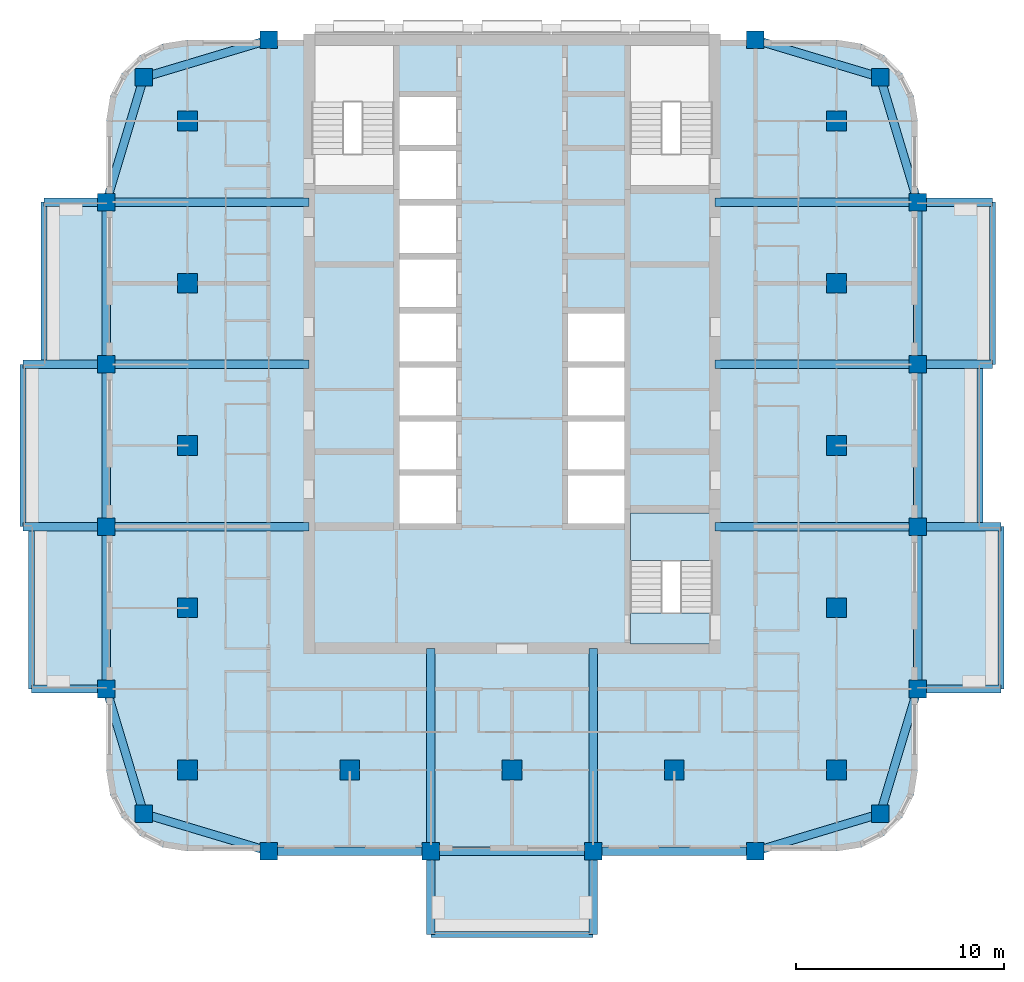
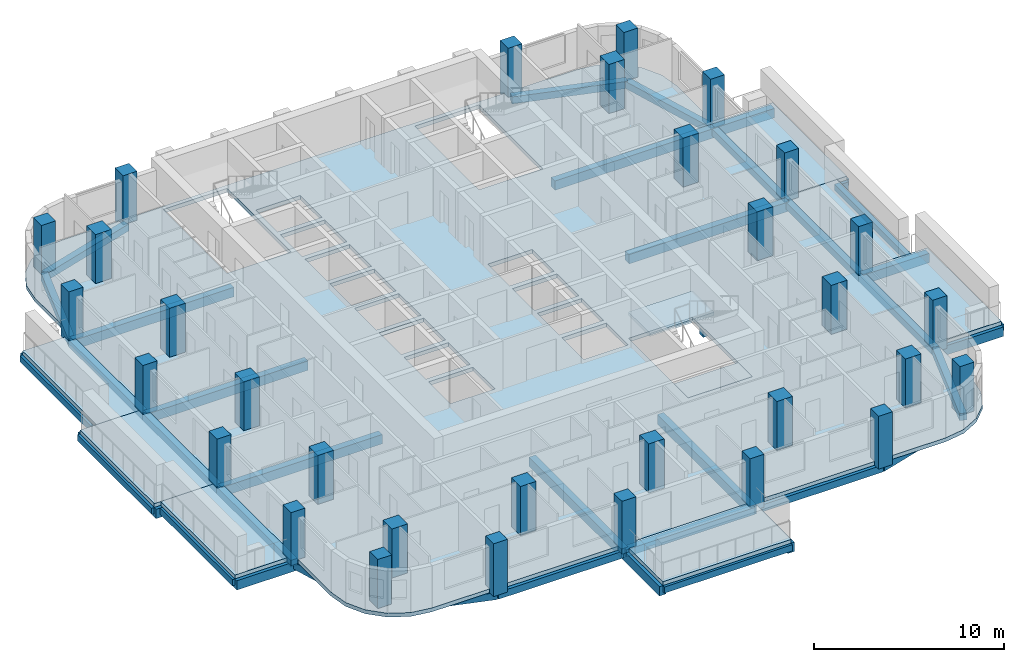
# One storey, part 1 of 14: 42 beams, 31 columns, 10 slabs, 1 element without a shape of its own.
"""IFC4 building model written with IfcOpenShell, lengths in metres."""

from ifc_helpers import new_model, si_unit, direction, frame, origin, origin_2d, place, context, subcontext, project, spatial, polyline, rectangle, outline, extrude, material, layer, layer_set, material_profile, profile_set, type_object, element, aggregate, save


model = new_model("IFC4")

# Units and contexts
model_context = context("Model", 3, precision=1e-05, world=origin(), true_north=direction((0.0, 1.0)))
body_context = subcontext(model_context, "Body", "Model", "MODEL_VIEW")
ifc_project = project(units=[si_unit("LENGTHUNIT", "METRE"), si_unit("AREAUNIT", "SQUARE_METRE"), si_unit("VOLUMEUNIT", "CUBIC_METRE"), si_unit("PLANEANGLEUNIT", "RADIAN"), si_unit("MASSUNIT", "GRAM", prefix="KILO")], contexts=[model_context])

# Site, building, storey
site_placement = place(None, origin())
site = spatial("IfcSite", under=ifc_project, at=site_placement, CompositionType="ELEMENT")
building_placement = place(site_placement, origin())
building = spatial("IfcBuilding", under=site, at=building_placement, Name="Ludao Terraces", CompositionType="ELEMENT")
storey_placement = place(building_placement, frame((0.0, 0.0, 110.10009765625)))
storey = spatial("IfcBuildingStorey", under=building, at=storey_placement, Name="L30", CompositionType="ELEMENT", Elevation=110.10009765625)

# Columns
ifc_material_1 = material(Name="Concrete C50", Category="concrete")
ifc_material_profile_1 = material_profile(ifc_material_1, rectangle(XDim=0.85009765625, YDim=0.85009765625, at=origin_2d()), Name="850 X 850")
ifc_profile_set_1 = profile_set([ifc_material_profile_1], Name="Concrete C50")
column_type_1 = type_object("IfcColumnType", Name="RC column 850x850 C50", PredefinedType="COLUMN", material=ifc_profile_set_1)
for number, where, z_axis, x_axis, name in (
    (1, (67.300048828125, 47.300048828125, -0.25), (0.0, 0.0, 1.0), (1.0, 0.0, 0.0), "Column L30 C0057x0057"),
    (2, (102.699951171875, 47.300048828125, -0.25), (0.0, 0.0, 1.0), (1.0, 0.0, 0.0), "Column L30 C0411x0057"),
    (3, (67.300048828125, 82.699951171875, -0.25), (0.0, 0.0, 1.0), (1.0, 0.0, 0.0), "Column L30 C0057x0411"),
    (4, (102.699951171875, 82.699951171875, -0.25), (0.0, 0.0, 1.0), (1.0, 0.0, 0.0), "Column L30 C0411x0411"),
    (5, (65.5, 53.300048828125, -0.25), (0.0, 0.0, 1.0), (1.0, 0.0, 0.0), "Column L30 W0039x0117"),
    (6, (104.5, 53.300048828125, -0.25), (0.0, 0.0, 1.0), (1.0, 0.0, 0.0), "Column L30 W0429x0117"),
    (7, (73.300048828125, 45.5, -0.25), (0.0, 0.0, 1.0), (1.0, 0.0, 0.0), "Column L30 W0117x0039"),
    (8, (73.300048828125, 84.5, -0.25), (0.0, 0.0, 1.0), (1.0, 0.0, 0.0), "Column L30 W0117x0429"),
    (9, (65.5, 61.10009765625, -0.25), (0.0, 0.0, 1.0), (1.0, 0.0, 0.0), "Column L30 W0039x0195"),
    (10, (104.5, 61.10009765625, -0.25), (0.0, 0.0, 1.0), (1.0, 0.0, 0.0), "Column L30 W0429x0195"),
    (11, (81.10009765625, 45.5, -0.25), (0.0, 0.0, 1.0), (1.0, 0.0, 0.0), "Column L30 W0195x0039"),
    (12, (65.5, 68.89990234375, -0.25), (0.0, 0.0, 1.0), (1.0, 0.0, 0.0), "Column L30 W0039x0273"),
    (13, (104.5, 68.89990234375, -0.25), (0.0, 0.0, 1.0), (1.0, 0.0, 0.0), "Column L30 W0429x0273"),
    (14, (88.89990234375, 45.5, -0.25), (0.0, 0.0, 1.0), (1.0, 0.0, 0.0), "Column L30 W0273x0039"),
    (15, (65.5, 76.699951171875, -0.25), (0.0, 0.0, 1.0), (1.0, 0.0, 0.0), "Column L30 W0039x0351"),
    (16, (104.5, 76.699951171875, -0.25), (0.0, 0.0, 1.0), (1.0, 0.0, 0.0), "Column L30 W0429x0351"),
    (17, (96.699951171875, 45.5, -0.25), (0.0, 0.0, 1.0), (1.0, 0.0, 0.0), "Column L30 W0351x0039"),
    (18, (96.699951171875, 84.5, -0.25), (0.0, 0.0, 1.0), (1.0, 0.0, 0.0), "Column L30 W0351x0429"),
):
    element("IfcColumn", number, at=place(storey_placement, frame(where, z_axis=z_axis, x_axis=x_axis)), inside=storey, type_object=column_type_1, Name=name, PredefinedType="COLUMN", context=body_context, shape_type="SweptSolid", body=[
        extrude(rectangle(XDim=0.85009765625, YDim=0.85009765625, at=origin_2d()), origin(), (0.0, 0.0, 1.0), 3.39990234375),
    ])
ifc_material_profile_2 = material_profile(ifc_material_1, rectangle(XDim=0.949951171875, YDim=0.949951171875, at=origin_2d()), Name="950 X 950")
ifc_profile_set_2 = profile_set([ifc_material_profile_2], Name="Concrete C50")
column_type_2 = type_object("IfcColumnType", Name="RC column 950x950 C50", PredefinedType="COLUMN", material=ifc_profile_set_2)
for number, where, z_axis, x_axis, name in (
    (19, (69.39990234375, 49.39990234375, -0.25), (0.0, 0.0, 1.0), (1.0, 0.0, 0.0), "Column L30 S0078x0078"),
    (20, (69.39990234375, 57.199951171875, -0.25), (0.0, 0.0, 1.0), (1.0, 0.0, 0.0), "Column L30 S0078x0156"),
    (21, (69.39990234375, 65.0, -0.25), (0.0, 0.0, 1.0), (1.0, 0.0, 0.0), "Column L30 S0078x0234"),
    (22, (69.39990234375, 72.800048828125, -0.25), (0.0, 0.0, 1.0), (1.0, 0.0, 0.0), "Column L30 S0078x0312"),
    (23, (69.39990234375, 80.60009765625, -0.25), (0.0, 0.0, 1.0), (1.0, 0.0, 0.0), "Column L30 S0078x0390"),
    (24, (77.199951171875, 49.39990234375, -0.25), (0.0, 0.0, 1.0), (1.0, 0.0, 0.0), "Column L30 S0156x0078"),
    (25, (85.0, 49.39990234375, -0.25), (0.0, 0.0, 1.0), (1.0, 0.0, 0.0), "Column L30 S0234x0078"),
    (26, (92.800048828125, 49.39990234375, -0.25), (0.0, 0.0, 1.0), (1.0, 0.0, 0.0), "Column L30 S0312x0078"),
    (27, (100.60009765625, 49.39990234375, -0.25), (0.0, 0.0, 1.0), (1.0, 0.0, 0.0), "Column L30 S0390x0078"),
    (28, (100.60009765625, 57.199951171875, -0.25), (0.0, 0.0, 1.0), (1.0, 0.0, 0.0), "Column L30 S0390x0156"),
    (29, (100.60009765625, 65.0, -0.25), (0.0, 0.0, 1.0), (1.0, 0.0, 0.0), "Column L30 S0390x0234"),
    (30, (100.60009765625, 72.800048828125, -0.25), (0.0, 0.0, 1.0), (1.0, 0.0, 0.0), "Column L30 S0390x0312"),
    (31, (100.60009765625, 80.60009765625, -0.25), (0.0, 0.0, 1.0), (1.0, 0.0, 0.0), "Column L30 S0390x0390"),
):
    element("IfcColumn", number, at=place(storey_placement, frame(where, z_axis=z_axis, x_axis=x_axis)), inside=storey, type_object=column_type_2, Name=name, PredefinedType="COLUMN", context=body_context, shape_type="SweptSolid", body=[
        extrude(rectangle(XDim=0.949951171875, YDim=0.949951171875, at=origin_2d()), origin(), (0.0, 0.0, 1.0), 3.39990234375),
    ])

# Beams
ifc_material_2 = material(Name="Concrete C40", Category="concrete")
ifc_material_profile_3 = material_profile(ifc_material_2, rectangle(XDim=0.300048828125, YDim=0.39990234375, at=origin_2d()), Name="300 X 400")
ifc_profile_set_3 = profile_set([ifc_material_profile_3], Name="Concrete C40")
beam_type_1 = type_object("IfcBeamType", Name="RC beam 300x400 C40", PredefinedType="BEAM", material=ifc_profile_set_3)
beam_1_placement = place(storey_placement, frame((81.10009765625, 41.5, -0.4501953125), z_axis=(1.0, 0.0, 0.0), x_axis=(0.0, 1.0, 0.0)))
element("IfcBeam", 32, at=beam_1_placement, inside=storey, type_object=beam_type_1, Name="Balcony edge beam L30 S1", PredefinedType="BEAM", context=body_context, shape_type="SweptSolid", body=[
    extrude(rectangle(XDim=0.300048828125, YDim=0.39990234375, at=origin_2d()), origin(), (0.0, 0.0, 1.0), 7.7998046875),
])
beam_2_placement = place(storey_placement, frame((108.5, 53.300048828125, -0.4501953125), z_axis=(0.0, 1.0, 0.0), x_axis=(-1.0, 0.0, 0.0)))
element("IfcBeam", 33, at=beam_2_placement, inside=storey, type_object=beam_type_1, Name="Balcony edge beam L30 E1", PredefinedType="BEAM", context=body_context, shape_type="SweptSolid", body=[
    extrude(rectangle(XDim=0.300048828125, YDim=0.39990234375, at=origin_2d()), origin(), (0.0, 0.0, 1.0), 7.800048828125),
])
beam_3_placement = place(storey_placement, frame((107.5, 61.10009765625, -0.4501953125), z_axis=(0.0, 1.0, 0.0), x_axis=(-1.0, 0.0, 0.0)))
element("IfcBeam", 34, at=beam_3_placement, inside=storey, type_object=beam_type_1, Name="Balcony edge beam L30 E2", PredefinedType="BEAM", context=body_context, shape_type="SweptSolid", body=[
    extrude(rectangle(XDim=0.300048828125, YDim=0.39990234375, at=origin_2d()), origin(), (0.0, 0.0, 1.0), 7.7998046875),
])
for number, where, z_axis, x_axis, name in (
    (35, (108.10009765625, 68.89990234375, -0.4501953125), (0.0, 1.0, 0.0), (-1.0, 0.0, 0.0), "Balcony edge beam L30 E3"),
    (36, (61.89990234375, 53.300048828125, -0.4501953125), (0.0, 1.0, 0.0), (-1.0, 0.0, 0.0), "Balcony edge beam L30 W1"),
):
    element("IfcBeam", number, at=place(storey_placement, frame(where, z_axis=z_axis, x_axis=x_axis)), inside=storey, type_object=beam_type_1, Name=name, PredefinedType="BEAM", context=body_context, shape_type="SweptSolid", body=[
        extrude(rectangle(XDim=0.300048828125, YDim=0.39990234375, at=origin_2d()), origin(), (0.0, 0.0, 1.0), 7.800048828125),
    ])
beam_4_placement = place(storey_placement, frame((61.5, 61.10009765625, -0.4501953125), z_axis=(0.0, 1.0, 0.0), x_axis=(-1.0, 0.0, 0.0)))
element("IfcBeam", 37, at=beam_4_placement, inside=storey, type_object=beam_type_1, Name="Balcony edge beam L30 W2", PredefinedType="BEAM", context=body_context, shape_type="SweptSolid", body=[
    extrude(rectangle(XDim=0.300048828125, YDim=0.39990234375, at=origin_2d()), origin(), (0.0, 0.0, 1.0), 7.7998046875),
])
beam_5_placement = place(storey_placement, frame((62.5, 68.89990234375, -0.4501953125), z_axis=(0.0, 1.0, 0.0), x_axis=(-1.0, 0.0, 0.0)))
element("IfcBeam", 38, at=beam_5_placement, inside=storey, type_object=beam_type_1, Name="Balcony edge beam L30 W3", PredefinedType="BEAM", context=body_context, shape_type="SweptSolid", body=[
    extrude(rectangle(XDim=0.300048828125, YDim=0.39990234375, at=origin_2d()), origin(), (0.0, 0.0, 1.0), 7.800048828125),
])
ifc_material_profile_4 = material_profile(ifc_material_2, rectangle(XDim=0.39990234375, YDim=0.449951171875, at=origin_2d()), Name="400 X 450")
ifc_profile_set_4 = profile_set([ifc_material_profile_4], Name="Concrete C40")
beam_type_2 = type_object("IfcBeamType", Name="RC beam 400x450 C40", PredefinedType="BEAM", material=ifc_profile_set_4)
beam_6_placement = place(storey_placement, frame((67.300048828125, 47.300048828125, -0.47509765625), z_axis=(0.957824139839, -0.287355036744, 0.0), x_axis=(0.287355036744, 0.957824139839, 0.0)))
element("IfcBeam", 39, at=beam_6_placement, inside=storey, type_object=beam_type_2, Name="Spandrel beam L30 S1", PredefinedType="BEAM", context=body_context, shape_type="SweptSolid", body=[
    extrude(rectangle(XDim=0.39990234375, YDim=0.449951171875, at=origin_2d()), origin(), (0.0, 0.0, 1.0), 6.26416015625),
])
beam_7_placement = place(storey_placement, frame((73.300048828125, 45.5, -0.47509765625), z_axis=(1.0, 0.0, 0.0), x_axis=(0.0, 1.0, 0.0)))
element("IfcBeam", 40, at=beam_7_placement, inside=storey, type_object=beam_type_2, Name="Spandrel beam L30 S2", PredefinedType="BEAM", context=body_context, shape_type="SweptSolid", body=[
    extrude(rectangle(XDim=0.39990234375, YDim=0.449951171875, at=origin_2d()), origin(), (0.0, 0.0, 1.0), 7.800048828125),
])
beam_8_placement = place(storey_placement, frame((81.10009765625, 45.5, -0.47509765625), z_axis=(1.0, 0.0, 0.0), x_axis=(0.0, 1.0, 0.0)))
element("IfcBeam", 41, at=beam_8_placement, inside=storey, type_object=beam_type_2, Name="Spandrel beam L30 S3", PredefinedType="BEAM", context=body_context, shape_type="SweptSolid", body=[
    extrude(rectangle(XDim=0.39990234375, YDim=0.449951171875, at=origin_2d()), origin(), (0.0, 0.0, 1.0), 7.7998046875),
])
beam_9_placement = place(storey_placement, frame((88.89990234375, 45.5, -0.47509765625), z_axis=(1.0, 0.0, 0.0), x_axis=(0.0, 1.0, 0.0)))
element("IfcBeam", 42, at=beam_9_placement, inside=storey, type_object=beam_type_2, Name="Spandrel beam L30 S4", PredefinedType="BEAM", context=body_context, shape_type="SweptSolid", body=[
    extrude(rectangle(XDim=0.39990234375, YDim=0.449951171875, at=origin_2d()), origin(), (0.0, 0.0, 1.0), 7.800048828125),
])
for number, where, z_axis, x_axis, name in (
    (43, (96.699951171875, 45.5, -0.47509765625), (0.957824139839, 0.287355036744, 0.0), (-0.287355036744, 0.957824139839, 0.0), "Spandrel beam L30 S5"),
    (44, (67.300048828125, 82.699951171875, -0.47509765625), (0.957824139839, 0.287355036744, 0.0), (-0.287355036744, 0.957824139839, 0.0), "Spandrel beam L30 N6"),
    (45, (96.699951171875, 84.5, -0.47509765625), (0.957824139839, -0.287355036744, 0.0), (0.287355036744, 0.957824139839, 0.0), "Spandrel beam L30 N7"),
    (46, (67.300048828125, 47.300048828125, -0.47509765625), (-0.287355036744, 0.957824139839, 0.0), (-0.957824139839, -0.287355036744, 0.0), "Spandrel beam L30 W8"),
):
    element("IfcBeam", number, at=place(storey_placement, frame(where, z_axis=z_axis, x_axis=x_axis)), inside=storey, type_object=beam_type_2, Name=name, PredefinedType="BEAM", context=body_context, shape_type="SweptSolid", body=[
        extrude(rectangle(XDim=0.39990234375, YDim=0.449951171875, at=origin_2d()), origin(), (0.0, 0.0, 1.0), 6.26416015625),
    ])
beam_10_placement = place(storey_placement, frame((65.5, 53.300048828125, -0.47509765625), z_axis=(0.0, 1.0, 0.0), x_axis=(-1.0, 0.0, 0.0)))
element("IfcBeam", 47, at=beam_10_placement, inside=storey, type_object=beam_type_2, Name="Spandrel beam L30 W9", PredefinedType="BEAM", context=body_context, shape_type="SweptSolid", body=[
    extrude(rectangle(XDim=0.39990234375, YDim=0.449951171875, at=origin_2d()), origin(), (0.0, 0.0, 1.0), 7.800048828125),
])
beam_11_placement = place(storey_placement, frame((65.5, 61.10009765625, -0.47509765625), z_axis=(0.0, 1.0, 0.0), x_axis=(-1.0, 0.0, 0.0)))
element("IfcBeam", 48, at=beam_11_placement, inside=storey, type_object=beam_type_2, Name="Spandrel beam L30 W10", PredefinedType="BEAM", context=body_context, shape_type="SweptSolid", body=[
    extrude(rectangle(XDim=0.39990234375, YDim=0.449951171875, at=origin_2d()), origin(), (0.0, 0.0, 1.0), 7.7998046875),
])
beam_12_placement = place(storey_placement, frame((65.5, 68.89990234375, -0.47509765625), z_axis=(0.0, 1.0, 0.0), x_axis=(-1.0, 0.0, 0.0)))
element("IfcBeam", 49, at=beam_12_placement, inside=storey, type_object=beam_type_2, Name="Spandrel beam L30 W11", PredefinedType="BEAM", context=body_context, shape_type="SweptSolid", body=[
    extrude(rectangle(XDim=0.39990234375, YDim=0.449951171875, at=origin_2d()), origin(), (0.0, 0.0, 1.0), 7.800048828125),
])
for number, where, z_axis, x_axis, name in (
    (50, (65.5, 76.699951171875, -0.47509765625), (0.287355036744, 0.957824139839, 0.0), (-0.957824139839, 0.287355036744, 0.0), "Spandrel beam L30 W12"),
    (51, (102.699951171875, 47.300048828125, -0.47509765625), (0.287355036744, 0.957824139839, 0.0), (-0.957824139839, 0.287355036744, 0.0), "Spandrel beam L30 E13"),
):
    element("IfcBeam", number, at=place(storey_placement, frame(where, z_axis=z_axis, x_axis=x_axis)), inside=storey, type_object=beam_type_2, Name=name, PredefinedType="BEAM", context=body_context, shape_type="SweptSolid", body=[
        extrude(rectangle(XDim=0.39990234375, YDim=0.449951171875, at=origin_2d()), origin(), (0.0, 0.0, 1.0), 6.26416015625),
    ])
beam_13_placement = place(storey_placement, frame((104.5, 53.300048828125, -0.47509765625), z_axis=(0.0, 1.0, 0.0), x_axis=(-1.0, 0.0, 0.0)))
element("IfcBeam", 52, at=beam_13_placement, inside=storey, type_object=beam_type_2, Name="Spandrel beam L30 E14", PredefinedType="BEAM", context=body_context, shape_type="SweptSolid", body=[
    extrude(rectangle(XDim=0.39990234375, YDim=0.449951171875, at=origin_2d()), origin(), (0.0, 0.0, 1.0), 7.800048828125),
])
beam_14_placement = place(storey_placement, frame((104.5, 61.10009765625, -0.47509765625), z_axis=(0.0, 1.0, 0.0), x_axis=(-1.0, 0.0, 0.0)))
element("IfcBeam", 53, at=beam_14_placement, inside=storey, type_object=beam_type_2, Name="Spandrel beam L30 E15", PredefinedType="BEAM", context=body_context, shape_type="SweptSolid", body=[
    extrude(rectangle(XDim=0.39990234375, YDim=0.449951171875, at=origin_2d()), origin(), (0.0, 0.0, 1.0), 7.7998046875),
])
beam_15_placement = place(storey_placement, frame((104.5, 68.89990234375, -0.47509765625), z_axis=(0.0, 1.0, 0.0), x_axis=(-1.0, 0.0, 0.0)))
element("IfcBeam", 54, at=beam_15_placement, inside=storey, type_object=beam_type_2, Name="Spandrel beam L30 E16", PredefinedType="BEAM", context=body_context, shape_type="SweptSolid", body=[
    extrude(rectangle(XDim=0.39990234375, YDim=0.449951171875, at=origin_2d()), origin(), (0.0, 0.0, 1.0), 7.800048828125),
])
beam_16_placement = place(storey_placement, frame((104.5, 76.699951171875, -0.47509765625), z_axis=(-0.287355036744, 0.957824139839, 0.0), x_axis=(-0.957824139839, -0.287355036744, 0.0)))
element("IfcBeam", 55, at=beam_16_placement, inside=storey, type_object=beam_type_2, Name="Spandrel beam L30 E17", PredefinedType="BEAM", context=body_context, shape_type="SweptSolid", body=[
    extrude(rectangle(XDim=0.39990234375, YDim=0.449951171875, at=origin_2d()), origin(), (0.0, 0.0, 1.0), 6.26416015625),
])
ifc_material_profile_5 = material_profile(ifc_material_2, rectangle(XDim=0.39990234375, YDim=0.60009765625, at=origin_2d()), Name="400 X 600")
ifc_profile_set_5 = profile_set([ifc_material_profile_5], Name="Concrete C40")
beam_type_3 = type_object("IfcBeamType", Name="RC beam 400x600 C40", PredefinedType="BEAM", material=ifc_profile_set_5)
beam_17_placement = place(storey_placement, frame((104.5, 53.300048828125, -0.550048828125), z_axis=(1.0, 0.0, 0.0), x_axis=(0.0, 1.0, 0.0)))
element("IfcBeam", 56, at=beam_17_placement, inside=storey, type_object=beam_type_3, Name="Balcony beam L30 E533", PredefinedType="BEAM", context=body_context, shape_type="SweptSolid", body=[
    extrude(rectangle(XDim=0.39990234375, YDim=0.60009765625, at=origin_2d()), origin(), (0.0, 0.0, 1.0), 4.0),
])
beam_18_placement = place(storey_placement, frame((94.75, 61.10009765625, -0.550048828125), z_axis=(1.0, 0.0, 0.0), x_axis=(0.0, 1.0, 0.0)))
element("IfcBeam", 57, at=beam_18_placement, inside=storey, type_object=beam_type_3, Name="Balcony beam L30 E611", PredefinedType="BEAM", context=body_context, shape_type="SweptSolid", body=[
    extrude(rectangle(XDim=0.39990234375, YDim=0.60009765625, at=origin_2d()), origin(), (0.0, 0.0, 1.0), 9.75),
])
beam_19_placement = place(storey_placement, frame((104.5, 61.10009765625, -0.550048828125), z_axis=(1.0, 0.0, 0.0), x_axis=(0.0, 1.0, 0.0)))
element("IfcBeam", 58, at=beam_19_placement, inside=storey, type_object=beam_type_3, Name="Balcony beam L30 E611", PredefinedType="BEAM", context=body_context, shape_type="SweptSolid", body=[
    extrude(rectangle(XDim=0.39990234375, YDim=0.60009765625, at=origin_2d()), origin(), (0.0, 0.0, 1.0), 4.0),
])
beam_20_placement = place(storey_placement, frame((94.75, 68.89990234375, -0.550048828125), z_axis=(1.0, 0.0, 0.0), x_axis=(0.0, 1.0, 0.0)))
element("IfcBeam", 59, at=beam_20_placement, inside=storey, type_object=beam_type_3, Name="Balcony beam L30 E689", PredefinedType="BEAM", context=body_context, shape_type="SweptSolid", body=[
    extrude(rectangle(XDim=0.39990234375, YDim=0.60009765625, at=origin_2d()), origin(), (0.0, 0.0, 1.0), 9.75),
])
beam_21_placement = place(storey_placement, frame((104.5, 68.89990234375, -0.550048828125), z_axis=(1.0, 0.0, 0.0), x_axis=(0.0, 1.0, 0.0)))
element("IfcBeam", 60, at=beam_21_placement, inside=storey, type_object=beam_type_3, Name="Balcony beam L30 E689", PredefinedType="BEAM", context=body_context, shape_type="SweptSolid", body=[
    extrude(rectangle(XDim=0.39990234375, YDim=0.60009765625, at=origin_2d()), origin(), (0.0, 0.0, 1.0), 3.60009765625),
])
beam_22_placement = place(storey_placement, frame((94.75, 76.699951171875, -0.550048828125), z_axis=(1.0, 0.0, 0.0), x_axis=(0.0, 1.0, 0.0)))
element("IfcBeam", 61, at=beam_22_placement, inside=storey, type_object=beam_type_3, Name="Balcony beam L30 E767", PredefinedType="BEAM", context=body_context, shape_type="SweptSolid", body=[
    extrude(rectangle(XDim=0.39990234375, YDim=0.60009765625, at=origin_2d()), origin(), (0.0, 0.0, 1.0), 9.75),
])
beam_23_placement = place(storey_placement, frame((104.5, 76.699951171875, -0.550048828125), z_axis=(1.0, 0.0, 0.0), x_axis=(0.0, 1.0, 0.0)))
element("IfcBeam", 62, at=beam_23_placement, inside=storey, type_object=beam_type_3, Name="Balcony beam L30 E767", PredefinedType="BEAM", context=body_context, shape_type="SweptSolid", body=[
    extrude(rectangle(XDim=0.39990234375, YDim=0.60009765625, at=origin_2d()), origin(), (0.0, 0.0, 1.0), 3.60009765625),
])
beam_24_placement = place(storey_placement, frame((81.10009765625, 55.25, -0.550048828125), z_axis=(0.0, -1.0, 0.0), x_axis=(1.0, 0.0, 0.0)))
element("IfcBeam", 63, at=beam_24_placement, inside=storey, type_object=beam_type_3, Name="Balcony beam L30 S811", PredefinedType="BEAM", context=body_context, shape_type="SweptSolid", body=[
    extrude(rectangle(XDim=0.39990234375, YDim=0.60009765625, at=origin_2d()), origin(), (0.0, 0.0, 1.0), 9.75),
])
beam_25_placement = place(storey_placement, frame((81.10009765625, 45.5, -0.550048828125), z_axis=(0.0, -1.0, 0.0), x_axis=(1.0, 0.0, 0.0)))
element("IfcBeam", 64, at=beam_25_placement, inside=storey, type_object=beam_type_3, Name="Balcony beam L30 S811", PredefinedType="BEAM", context=body_context, shape_type="SweptSolid", body=[
    extrude(rectangle(XDim=0.39990234375, YDim=0.60009765625, at=origin_2d()), origin(), (0.0, 0.0, 1.0), 4.0),
])
beam_26_placement = place(storey_placement, frame((88.89990234375, 55.25, -0.550048828125), z_axis=(0.0, -1.0, 0.0), x_axis=(1.0, 0.0, 0.0)))
element("IfcBeam", 65, at=beam_26_placement, inside=storey, type_object=beam_type_3, Name="Balcony beam L30 S889", PredefinedType="BEAM", context=body_context, shape_type="SweptSolid", body=[
    extrude(rectangle(XDim=0.39990234375, YDim=0.60009765625, at=origin_2d()), origin(), (0.0, 0.0, 1.0), 9.75),
])
beam_27_placement = place(storey_placement, frame((88.89990234375, 45.5, -0.550048828125), z_axis=(0.0, -1.0, 0.0), x_axis=(1.0, 0.0, 0.0)))
element("IfcBeam", 66, at=beam_27_placement, inside=storey, type_object=beam_type_3, Name="Balcony beam L30 S889", PredefinedType="BEAM", context=body_context, shape_type="SweptSolid", body=[
    extrude(rectangle(XDim=0.39990234375, YDim=0.60009765625, at=origin_2d()), origin(), (0.0, 0.0, 1.0), 4.0),
])
beam_28_placement = place(storey_placement, frame((65.5, 53.300048828125, -0.550048828125), z_axis=(-1.0, 0.0, 0.0), x_axis=(0.0, -1.0, 0.0)))
element("IfcBeam", 67, at=beam_28_placement, inside=storey, type_object=beam_type_3, Name="Balcony beam L30 W533", PredefinedType="BEAM", context=body_context, shape_type="SweptSolid", body=[
    extrude(rectangle(XDim=0.39990234375, YDim=0.60009765625, at=origin_2d()), origin(), (0.0, 0.0, 1.0), 3.60009765625),
])
beam_29_placement = place(storey_placement, frame((75.25, 61.10009765625, -0.550048828125), z_axis=(-1.0, 0.0, 0.0), x_axis=(0.0, -1.0, 0.0)))
element("IfcBeam", 68, at=beam_29_placement, inside=storey, type_object=beam_type_3, Name="Balcony beam L30 W611", PredefinedType="BEAM", context=body_context, shape_type="SweptSolid", body=[
    extrude(rectangle(XDim=0.39990234375, YDim=0.60009765625, at=origin_2d()), origin(), (0.0, 0.0, 1.0), 9.75),
])
beam_30_placement = place(storey_placement, frame((65.5, 61.10009765625, -0.550048828125), z_axis=(-1.0, 0.0, 0.0), x_axis=(0.0, -1.0, 0.0)))
element("IfcBeam", 69, at=beam_30_placement, inside=storey, type_object=beam_type_3, Name="Balcony beam L30 W611", PredefinedType="BEAM", context=body_context, shape_type="SweptSolid", body=[
    extrude(rectangle(XDim=0.39990234375, YDim=0.60009765625, at=origin_2d()), origin(), (0.0, 0.0, 1.0), 4.0),
])
beam_31_placement = place(storey_placement, frame((75.25, 68.89990234375, -0.550048828125), z_axis=(-1.0, 0.0, 0.0), x_axis=(0.0, -1.0, 0.0)))
element("IfcBeam", 70, at=beam_31_placement, inside=storey, type_object=beam_type_3, Name="Balcony beam L30 W689", PredefinedType="BEAM", context=body_context, shape_type="SweptSolid", body=[
    extrude(rectangle(XDim=0.39990234375, YDim=0.60009765625, at=origin_2d()), origin(), (0.0, 0.0, 1.0), 9.75),
])
beam_32_placement = place(storey_placement, frame((65.5, 68.89990234375, -0.550048828125), z_axis=(-1.0, 0.0, 0.0), x_axis=(0.0, -1.0, 0.0)))
element("IfcBeam", 71, at=beam_32_placement, inside=storey, type_object=beam_type_3, Name="Balcony beam L30 W689", PredefinedType="BEAM", context=body_context, shape_type="SweptSolid", body=[
    extrude(rectangle(XDim=0.39990234375, YDim=0.60009765625, at=origin_2d()), origin(), (0.0, 0.0, 1.0), 4.0),
])
beam_33_placement = place(storey_placement, frame((75.25, 76.699951171875, -0.550048828125), z_axis=(-1.0, 0.0, 0.0), x_axis=(0.0, -1.0, 0.0)))
element("IfcBeam", 72, at=beam_33_placement, inside=storey, type_object=beam_type_3, Name="Balcony beam L30 W767", PredefinedType="BEAM", context=body_context, shape_type="SweptSolid", body=[
    extrude(rectangle(XDim=0.39990234375, YDim=0.60009765625, at=origin_2d()), origin(), (0.0, 0.0, 1.0), 9.75),
])
beam_34_placement = place(storey_placement, frame((65.5, 76.699951171875, -0.550048828125), z_axis=(-1.0, 0.0, 0.0), x_axis=(0.0, -1.0, 0.0)))
element("IfcBeam", 73, at=beam_34_placement, inside=storey, type_object=beam_type_3, Name="Balcony beam L30 W767", PredefinedType="BEAM", context=body_context, shape_type="SweptSolid", body=[
    extrude(rectangle(XDim=0.39990234375, YDim=0.60009765625, at=origin_2d()), origin(), (0.0, 0.0, 1.0), 3.0),
])

# Slabs
ifc_layer_1 = layer(ifc_material_2, 0.25)
ifc_layer_set_1 = layer_set([ifc_layer_1], Name="Balcony slab 250 C40")
slab_type_1 = type_object("IfcSlabType", Name="Balcony slab 250 C40", PredefinedType="USERDEFINED", material=ifc_layer_set_1)
slab_1_placement = place(storey_placement, frame((0.0, 0.0, -0.25)))
element("IfcSlab", 74, at=slab_1_placement, inside=storey, type_object=slab_type_1, Name="Balcony L30 S1", ObjectType="BALCONY", PredefinedType="USERDEFINED", context=body_context, shape_type="SweptSolid", body=[
    extrude(outline(polyline([(81.10009765625, 41.5), (88.89990234375, 41.5), (88.89990234375, 45.5), (81.10009765625, 45.5), (81.10009765625, 41.5)])), origin(), (0.0, 0.0, 1.0), 0.25),
])
slab_2_placement = place(storey_placement, frame((0.0, 0.0, -0.25)))
element("IfcSlab", 75, at=slab_2_placement, inside=storey, type_object=slab_type_1, Name="Balcony L30 E1", ObjectType="BALCONY", PredefinedType="USERDEFINED", context=body_context, shape_type="SweptSolid", body=[
    extrude(outline(polyline([(104.5, 53.300048828125), (108.5, 53.300048828125), (108.5, 61.10009765625), (104.5, 61.10009765625), (104.5, 53.300048828125)])), origin(), (0.0, 0.0, 1.0), 0.25),
])
slab_3_placement = place(storey_placement, frame((0.0, 0.0, -0.25)))
element("IfcSlab", 76, at=slab_3_placement, inside=storey, type_object=slab_type_1, Name="Balcony L30 E2", ObjectType="BALCONY", PredefinedType="USERDEFINED", context=body_context, shape_type="SweptSolid", body=[
    extrude(outline(polyline([(104.5, 61.10009765625), (107.5, 61.10009765625), (107.5, 68.89990234375), (104.5, 68.89990234375), (104.5, 61.10009765625)])), origin(), (0.0, 0.0, 1.0), 0.25),
])
slab_4_placement = place(storey_placement, frame((0.0, 0.0, -0.25)))
element("IfcSlab", 77, at=slab_4_placement, inside=storey, type_object=slab_type_1, Name="Balcony L30 E3", ObjectType="BALCONY", PredefinedType="USERDEFINED", context=body_context, shape_type="SweptSolid", body=[
    extrude(outline(polyline([(104.5, 68.89990234375), (108.10009765625, 68.89990234375), (108.10009765625, 76.699951171875), (104.5, 76.699951171875), (104.5, 68.89990234375)])), origin(), (0.0, 0.0, 1.0), 0.25),
])
slab_5_placement = place(storey_placement, frame((0.0, 0.0, -0.25)))
element("IfcSlab", 78, at=slab_5_placement, inside=storey, type_object=slab_type_1, Name="Balcony L30 W1", ObjectType="BALCONY", PredefinedType="USERDEFINED", context=body_context, shape_type="SweptSolid", body=[
    extrude(outline(polyline([(61.89990234375, 53.300048828125), (65.5, 53.300048828125), (65.5, 61.10009765625), (61.89990234375, 61.10009765625), (61.89990234375, 53.300048828125)])), origin(), (0.0, 0.0, 1.0), 0.25),
])
slab_6_placement = place(storey_placement, frame((0.0, 0.0, -0.25)))
element("IfcSlab", 79, at=slab_6_placement, inside=storey, type_object=slab_type_1, Name="Balcony L30 W2", ObjectType="BALCONY", PredefinedType="USERDEFINED", context=body_context, shape_type="SweptSolid", body=[
    extrude(outline(polyline([(61.5, 61.10009765625), (65.5, 61.10009765625), (65.5, 68.89990234375), (61.5, 68.89990234375), (61.5, 61.10009765625)])), origin(), (0.0, 0.0, 1.0), 0.25),
])
slab_7_placement = place(storey_placement, frame((0.0, 0.0, -0.25)))
element("IfcSlab", 80, at=slab_7_placement, inside=storey, type_object=slab_type_1, Name="Balcony L30 W3", ObjectType="BALCONY", PredefinedType="USERDEFINED", context=body_context, shape_type="SweptSolid", body=[
    extrude(outline(polyline([(62.5, 68.89990234375), (65.5, 68.89990234375), (65.5, 76.699951171875), (62.5, 76.699951171875), (62.5, 68.89990234375)])), origin(), (0.0, 0.0, 1.0), 0.25),
])
ifc_layer_2 = layer(ifc_material_2, 0.25)
ifc_layer_set_2 = layer_set([ifc_layer_2], Name="Floor slab 250 C40")
slab_type_2 = type_object("IfcSlabType", Name="Floor slab 250 C40", PredefinedType="FLOOR", material=ifc_layer_set_2)
slab_8_placement = place(storey_placement, frame((0.0, 0.0, -0.25)))
element("IfcSlab", 81, at=slab_8_placement, inside=storey, type_object=slab_type_2, Name="Slab L30", PredefinedType="FLOOR", context=body_context, shape_type="SweptSolid", body=[
    extrude(outline(polyline([(100.60009765625, 45.5), (101.80517578125, 45.69091796875), (102.892333984375, 46.244873046875), (103.755126953125, 47.107666015625), (104.30908203125, 48.19482421875), (104.5, 49.39990234375), (104.5, 80.60009765625), (104.30908203125, 81.80517578125), (103.755126953125, 82.892333984375), (102.892333984375, 83.755126953125), (101.80517578125, 84.30908203125), (100.60009765625, 84.5), (69.39990234375, 84.5), (68.19482421875, 84.30908203125), (67.107666015625, 83.755126953125), (66.244873046875, 82.892333984375), (65.69091796875, 81.80517578125), (65.5, 80.60009765625), (65.5, 49.39990234375), (65.69091796875, 48.19482421875), (66.244873046875, 47.107666015625), (67.107666015625, 46.244873046875), (68.19482421875, 45.69091796875), (69.39990234375, 45.5), (100.60009765625, 45.5)]), holes=[polyline([(79.60009765625, 61.25), (82.300048828125, 61.25), (82.300048828125, 63.550048828125), (79.60009765625, 63.550048828125), (79.60009765625, 61.25)]), polyline([(79.60009765625, 63.85009765625), (82.300048828125, 63.85009765625), (82.300048828125, 66.14990234375), (79.60009765625, 66.14990234375), (79.60009765625, 63.85009765625)]), polyline([(79.60009765625, 66.449951171875), (82.300048828125, 66.449951171875), (82.300048828125, 68.75), (79.60009765625, 68.75), (79.60009765625, 66.449951171875)]), polyline([(79.60009765625, 69.050048828125), (82.300048828125, 69.050048828125), (82.300048828125, 71.35009765625), (79.60009765625, 71.35009765625), (79.60009765625, 69.050048828125)]), polyline([(79.60009765625, 71.64990234375), (82.300048828125, 71.64990234375), (82.300048828125, 73.949951171875), (79.60009765625, 73.949951171875), (79.60009765625, 71.64990234375)]), polyline([(79.60009765625, 74.25), (82.300048828125, 74.25), (82.300048828125, 76.550048828125), (79.60009765625, 76.550048828125), (79.60009765625, 74.25)]), polyline([(79.60009765625, 76.85009765625), (82.300048828125, 76.85009765625), (82.300048828125, 79.14990234375), (79.60009765625, 79.14990234375), (79.60009765625, 76.85009765625)]), polyline([(79.60009765625, 79.449951171875), (82.300048828125, 79.449951171875), (82.300048828125, 81.75), (79.60009765625, 81.75), (79.60009765625, 79.449951171875)]), polyline([(87.699951171875, 61.25), (90.39990234375, 61.25), (90.39990234375, 63.550048828125), (87.699951171875, 63.550048828125), (87.699951171875, 61.25)]), polyline([(87.699951171875, 63.85009765625), (90.39990234375, 63.85009765625), (90.39990234375, 66.14990234375), (87.699951171875, 66.14990234375), (87.699951171875, 63.85009765625)]), polyline([(87.699951171875, 66.449951171875), (90.39990234375, 66.449951171875), (90.39990234375, 68.75), (87.699951171875, 68.75), (87.699951171875, 66.449951171875)]), polyline([(87.699951171875, 69.050048828125), (90.39990234375, 69.050048828125), (90.39990234375, 71.35009765625), (87.699951171875, 71.35009765625), (87.699951171875, 69.050048828125)]), polyline([(75.39990234375, 77.5), (79.300048828125, 77.5), (79.300048828125, 84.239990234375), (75.39990234375, 84.239990234375), (75.39990234375, 77.5)]), polyline([(90.699951171875, 77.5), (94.60009765625, 77.5), (94.60009765625, 84.239990234375), (90.699951171875, 84.239990234375), (90.699951171875, 77.5)]), polyline([(90.699951171875, 55.449951171875), (94.60009765625, 55.449951171875), (94.60009765625, 61.75), (90.699951171875, 61.75), (90.699951171875, 55.449951171875)])]), origin(), (0.0, 0.0, 1.0), 0.25),
])

# Stair, slabs
stair_type = type_object("IfcStairType", Name="INT Stair", PredefinedType="HALF_TURN_STAIR", material=ifc_material_2)
stair_placement = place(storey_placement, origin())
stair = element("IfcStair", 82, at=stair_placement, inside=storey, type_object=stair_type, Name="EXIT STAIR 3", PredefinedType="HALF_TURN_STAIR")
ifc_layer_3 = layer(ifc_material_2, 0.199951171875)
ifc_layer_set_3 = layer_set([ifc_layer_3], Name="INT Stair landing 200")
slab_type_3 = type_object("IfcSlabType", Name="INT Stair landing 200", PredefinedType="LANDING", material=ifc_layer_set_3)
slab_9_placement = place(storey_placement, frame((0.0, 0.0, 1.5)))
slab_9 = element("IfcSlab", 83, at=slab_9_placement, type_object=slab_type_3, Name="ST3 landing 1", PredefinedType="LANDING", context=body_context, shape_type="SweptSolid", body=[
    extrude(outline(polyline([(90.699951171875, 59.469970703125), (94.60009765625, 59.469970703125), (94.60009765625, 61.75), (90.699951171875, 61.75), (90.699951171875, 59.469970703125)])), origin(), (0.0, 0.0, 1.0), 0.199951171875),
])
slab_10_placement = place(storey_placement, frame((0.0, 0.0, -0.2001953125)))
slab_10 = element("IfcSlab", 84, at=slab_10_placement, type_object=slab_type_3, Name="ST3 landing 2", PredefinedType="LANDING", context=body_context, shape_type="SweptSolid", body=[
    extrude(outline(polyline([(90.699951171875, 55.449951171875), (94.60009765625, 55.449951171875), (94.60009765625, 56.949951171875), (90.699951171875, 56.949951171875), (90.699951171875, 55.449951171875)])), origin(), (0.0, 0.0, 1.0), 0.2001953125),
])
aggregate(stair, [slab_9, slab_10])

save(model, "model.ifc")
